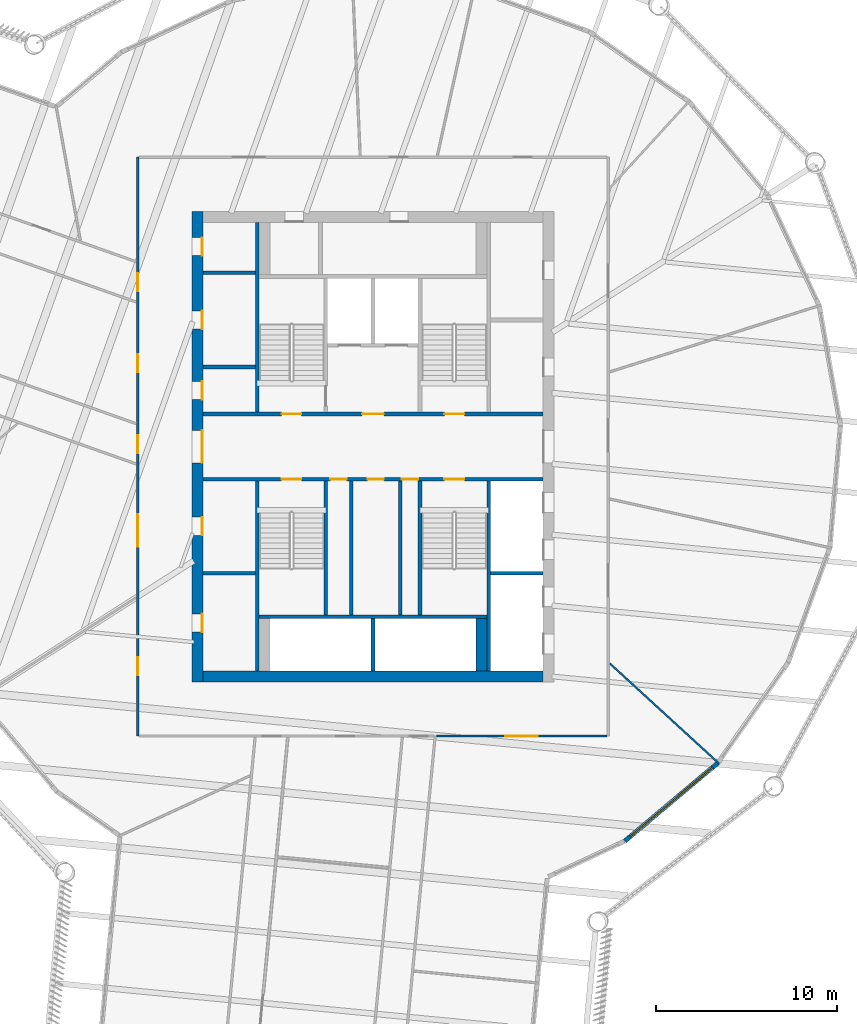
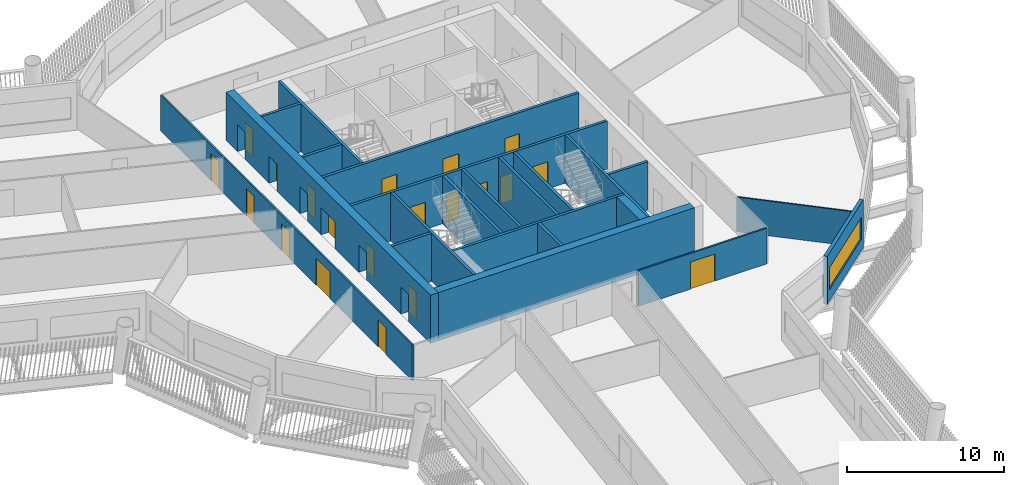
# One storey, part 4 of 15: 22 walls, 20 doors, 1 window, 21 openings.
"""IFC4 building model written with IfcOpenShell, lengths in metres."""

from ifc_helpers import new_model, si_unit, direction, frame, frame_2d, origin, place, context, subcontext, project, spatial, rectangle, extrude, material, layer, layer_set, type_object, element, fill, save


model = new_model("IFC4")

# Units and contexts
model_context = context("Model", 3, precision=1e-05, world=origin(), true_north=direction((0.0, 1.0)))
body_context = subcontext(model_context, "Body", "Model", "MODEL_VIEW")
ifc_project = project(units=[si_unit("LENGTHUNIT", "METRE"), si_unit("AREAUNIT", "SQUARE_METRE"), si_unit("VOLUMEUNIT", "CUBIC_METRE"), si_unit("PLANEANGLEUNIT", "RADIAN"), si_unit("MASSUNIT", "GRAM", prefix="KILO")], contexts=[model_context])

# Site, building, storey
site_placement = place(None, origin())
site = spatial("IfcSite", under=ifc_project, at=site_placement, CompositionType="ELEMENT")
building_placement = place(site_placement, origin())
building = spatial("IfcBuilding", under=site, at=building_placement, Name="Tarsis Ring Headquarters", CompositionType="ELEMENT")
storey_placement = place(building_placement, frame((0.0, 0.0, 204.300048828125)))
storey = spatial("IfcBuildingStorey", under=building, at=storey_placement, Name="L47", CompositionType="ELEMENT", Elevation=204.300048828125)

# Walls
ifc_material_1 = material(Name="Blockwork", Category="masonry")
ifc_layer_1 = layer(ifc_material_1, 0.199951171875)
ifc_layer_set_1 = layer_set([ifc_layer_1], Name="Core blockwork wall 200")
wall_type_1 = type_object("IfcWallType", Name="Core blockwork wall 200", PredefinedType="PARTITIONING", material=ifc_layer_set_1)
for number, where, z_axis, x_axis, name in (
    (1, (-9.39990234375, -7.0, 0.0), (0.0, 0.0, 1.0), (1.0, 0.0, 0.0), "Core partition WD2"),
    (2, (-9.39990234375, 4.39990234375, 0.0), (0.0, 0.0, 1.0), (1.0, 0.0, 0.0), "Core partition WD5"),
    (3, (-9.39990234375, 9.60009765625, 0.0), (0.0, 0.0, 1.0), (1.0, 0.0, 0.0), "Core partition WD7"),
):
    element("IfcWall", number, at=place(storey_placement, frame(where, z_axis=z_axis, x_axis=x_axis)), inside=storey, type_object=wall_type_1, Name=name, PredefinedType="PARTITIONING", context=body_context, shape_type="SweptSolid", body=[
        extrude(rectangle(XDim=2.89990234375, YDim=0.199951171875, at=frame_2d((1.449951171875, 0.0))), origin(), (0.0, 0.0, 1.0), 3.739990234375),
    ])
for number, where, z_axis, x_axis, name in (
    (4, (-1.199951171875, -9.300048828125, 0.0), (0.0, 0.0, 1.0), (0.0, 1.0, 0.0), "Core partition SV1"),
    (5, (1.5, -9.300048828125, 0.0), (0.0, 0.0, 1.0), (0.0, 1.0, 0.0), "Core partition SV2"),
):
    element("IfcWall", number, at=place(storey_placement, frame(where, z_axis=z_axis, x_axis=x_axis)), inside=storey, type_object=wall_type_1, Name=name, PredefinedType="PARTITIONING", context=body_context, shape_type="SweptSolid", body=[
        extrude(rectangle(XDim=7.400146484375, YDim=0.199951171875, at=frame_2d((3.7001953125, 0.0))), origin(), (0.0, 0.0, 1.0), 3.739990234375),
    ])

# Wall, openings, doors
ifc_material_2 = material(Name="Concrete C50/60", Category="concrete")
ifc_layer_2 = layer(ifc_material_2, 0.60009765625)
ifc_layer_set_2 = layer_set([ifc_layer_2], Name="Core wall 600 C50/60")
wall_type_2 = type_object("IfcWallType", Name="Core wall 600 C50/60", PredefinedType="SHEAR", material=ifc_layer_set_2)
wall_1_placement = place(storey_placement, frame((-9.699951171875, -13.0, 0.0), z_axis=(0.0, 0.0, 1.0), x_axis=(0.0, 1.0, 0.0)))
wall_1 = element("IfcWall", 6, at=wall_1_placement, inside=storey, type_object=wall_type_2, Name="Core wall OW", PredefinedType="SHEAR", context=body_context, shape_type="SweptSolid", body=[
    extrude(rectangle(XDim=26.0, YDim=0.60009765625, at=frame_2d((13.0, 0.0))), origin(), (0.0, 0.0, 1.0), 3.739990234375),
])
opening_1_placement = place(wall_1_placement, frame((2.75, 0.0, 0.0)))
opening_1 = element("IfcOpeningElement", 7, at=opening_1_placement, cuts=wall_1, Name="Opening L47-C01", PredefinedType="OPENING", context=body_context, shape_type="SweptSolid", body=[
    extrude(rectangle(XDim=1.0, YDim=2.10009765625, at=frame_2d((0.5, 1.050048828125))), frame((0.0, 0.31005859375, 0.0), z_axis=(0.0, -1.0, 0.0), x_axis=(1.0, 0.0, 0.0)), (0.0, 0.0, 1.0), 0.6201171875),
])
opening_2_placement = place(wall_1_placement, frame((8.10009765625, 0.0, 0.0)))
opening_2 = element("IfcOpeningElement", 8, at=opening_2_placement, cuts=wall_1, Name="Opening L47-C02", PredefinedType="OPENING", context=body_context, shape_type="SweptSolid", body=[
    extrude(rectangle(XDim=1.0, YDim=2.10009765625, at=frame_2d((0.5, 1.050048828125))), frame((0.0, 0.31005859375, 0.0), z_axis=(0.0, -1.0, 0.0), x_axis=(1.0, 0.0, 0.0)), (0.0, 0.0, 1.0), 0.6201171875),
])
opening_3_placement = place(wall_1_placement, frame((12.10009765625, 0.0, 0.0)))
opening_3 = element("IfcOpeningElement", 9, at=opening_3_placement, cuts=wall_1, Name="Opening L47-C03", PredefinedType="OPENING", context=body_context, shape_type="SweptSolid", body=[
    extrude(rectangle(XDim=1.800048828125, YDim=2.10009765625, at=frame_2d((0.89990234375, 1.050048828125))), frame((0.0, 0.31005859375, 0.0), z_axis=(0.0, -1.0, 0.0), x_axis=(1.0, 0.0, 0.0)), (0.0, 0.0, 1.0), 0.6201171875),
])
opening_4_placement = place(wall_1_placement, frame((15.60009765625, 0.0, 0.0)))
opening_4 = element("IfcOpeningElement", 10, at=opening_4_placement, cuts=wall_1, Name="Opening L47-C04", PredefinedType="OPENING", context=body_context, shape_type="SweptSolid", body=[
    extrude(rectangle(XDim=1.0, YDim=2.10009765625, at=frame_2d((0.5, 1.050048828125))), frame((0.0, 0.31005859375, 0.0), z_axis=(0.0, -1.0, 0.0), x_axis=(1.0, 0.0, 0.0)), (0.0, 0.0, 1.0), 0.6201171875),
])
opening_5_placement = place(wall_1_placement, frame((19.5, 0.0, 0.0)))
opening_5 = element("IfcOpeningElement", 11, at=opening_5_placement, cuts=wall_1, Name="Opening L47-C05", PredefinedType="OPENING", context=body_context, shape_type="SweptSolid", body=[
    extrude(rectangle(XDim=1.0, YDim=2.10009765625, at=frame_2d((0.5, 1.050048828125))), frame((0.0, 0.31005859375, 0.0), z_axis=(0.0, -1.0, 0.0), x_axis=(1.0, 0.0, 0.0)), (0.0, 0.0, 1.0), 0.6201171875),
])
opening_6_placement = place(wall_1_placement, frame((23.550048828125, 0.0, 0.0)))
opening_6 = element("IfcOpeningElement", 12, at=opening_6_placement, cuts=wall_1, Name="Opening L47-C06", PredefinedType="OPENING", context=body_context, shape_type="SweptSolid", body=[
    extrude(rectangle(XDim=1.0, YDim=2.10009765625, at=frame_2d((0.5, 1.050048828125))), frame((0.0, 0.31005859375, 0.0), z_axis=(0.0, -1.0, 0.0), x_axis=(1.0, 0.0, 0.0)), (0.0, 0.0, 1.0), 0.6201171875),
])
ifc_material_3 = material(Name="Steel S355", Category="steel")
door_type_1 = type_object("IfcDoorType", Name="Core entry door 1800x2100", OperationType="DOUBLE_DOOR_SINGLE_SWING", PredefinedType="DOOR", material=ifc_material_3)
door_1_placement = place(opening_3_placement, origin())
door_1 = element("IfcDoor", 13, at=door_1_placement, inside=storey, type_object=door_type_1, Name="Core entry door L47", OperationType="DOUBLE_DOOR_SINGLE_SWING", OverallHeight=2.10009765625, OverallWidth=1.800048828125, PredefinedType="DOOR", context=body_context, shape_type="SweptSolid", body=[
    extrude(rectangle(XDim=1.800048828125, YDim=2.10009765625, at=frame_2d((0.89990234375, 1.050048828125))), frame((0.0, -0.25, 0.0), z_axis=(0.0, -1.0, 0.0), x_axis=(1.0, 0.0, 0.0)), (0.0, 0.0, 1.0), 0.050048828125),
])
fill(opening_3, door_1)
door_type_2 = type_object("IfcDoorType", Name="Core room door 1000x2100", OperationType="SINGLE_SWING_LEFT", PredefinedType="DOOR", material=ifc_material_3)
door_2_placement = place(opening_1_placement, origin())
door_2 = element("IfcDoor", 14, at=door_2_placement, inside=storey, type_object=door_type_2, Name="Core room door L47", OperationType="SINGLE_SWING_LEFT", OverallHeight=2.10009765625, OverallWidth=1.0, PredefinedType="DOOR", context=body_context, shape_type="SweptSolid", body=[
    extrude(rectangle(XDim=1.0, YDim=2.10009765625, at=frame_2d((0.5, 1.050048828125))), frame((0.0, -0.25, 0.0), z_axis=(0.0, -1.0, 0.0), x_axis=(1.0, 0.0, 0.0)), (0.0, 0.0, 1.0), 0.050048828125),
])
fill(opening_1, door_2)
door_3_placement = place(opening_2_placement, origin())
door_3 = element("IfcDoor", 15, at=door_3_placement, inside=storey, type_object=door_type_2, Name="Core room door L47", OperationType="SINGLE_SWING_LEFT", OverallHeight=2.10009765625, OverallWidth=1.0, PredefinedType="DOOR", context=body_context, shape_type="SweptSolid", body=[
    extrude(rectangle(XDim=1.0, YDim=2.10009765625, at=frame_2d((0.5, 1.050048828125))), frame((0.0, -0.25, 0.0), z_axis=(0.0, -1.0, 0.0), x_axis=(1.0, 0.0, 0.0)), (0.0, 0.0, 1.0), 0.050048828125),
])
fill(opening_2, door_3)
door_4_placement = place(opening_4_placement, origin())
door_4 = element("IfcDoor", 16, at=door_4_placement, inside=storey, type_object=door_type_2, Name="Core room door L47", OperationType="SINGLE_SWING_LEFT", OverallHeight=2.10009765625, OverallWidth=1.0, PredefinedType="DOOR", context=body_context, shape_type="SweptSolid", body=[
    extrude(rectangle(XDim=1.0, YDim=2.10009765625, at=frame_2d((0.5, 1.050048828125))), frame((0.0, -0.25, 0.0), z_axis=(0.0, -1.0, 0.0), x_axis=(1.0, 0.0, 0.0)), (0.0, 0.0, 1.0), 0.050048828125),
])
fill(opening_4, door_4)
door_5_placement = place(opening_5_placement, origin())
door_5 = element("IfcDoor", 17, at=door_5_placement, inside=storey, type_object=door_type_2, Name="Core room door L47", OperationType="SINGLE_SWING_LEFT", OverallHeight=2.10009765625, OverallWidth=1.0, PredefinedType="DOOR", context=body_context, shape_type="SweptSolid", body=[
    extrude(rectangle(XDim=1.0, YDim=2.10009765625, at=frame_2d((0.5, 1.050048828125))), frame((0.0, -0.25, 0.0), z_axis=(0.0, -1.0, 0.0), x_axis=(1.0, 0.0, 0.0)), (0.0, 0.0, 1.0), 0.050048828125),
])
fill(opening_5, door_5)
door_6_placement = place(opening_6_placement, origin())
door_6 = element("IfcDoor", 18, at=door_6_placement, inside=storey, type_object=door_type_2, Name="Core room door L47", OperationType="SINGLE_SWING_LEFT", OverallHeight=2.10009765625, OverallWidth=1.0, PredefinedType="DOOR", context=body_context, shape_type="SweptSolid", body=[
    extrude(rectangle(XDim=1.0, YDim=2.10009765625, at=frame_2d((0.5, 1.050048828125))), frame((0.0, -0.25, 0.0), z_axis=(0.0, -1.0, 0.0), x_axis=(1.0, 0.0, 0.0)), (0.0, 0.0, 1.0), 0.050048828125),
])
fill(opening_6, door_6)

# Walls
wall_2_placement = place(storey_placement, frame((-9.39990234375, -12.699951171875, 0.0), z_axis=(0.0, 0.0, 1.0), x_axis=(1.0, 0.0, 0.0)))
element("IfcWall", 19, at=wall_2_placement, inside=storey, type_object=wall_type_2, Name="Core wall OS", PredefinedType="SHEAR", context=body_context, shape_type="SweptSolid", body=[
    extrude(rectangle(XDim=18.7998046875, YDim=0.60009765625, at=frame_2d((9.39990234375, 0.0))), origin(), (0.0, 0.0, 1.0), 3.739990234375),
])
ifc_material_4 = material(Name="Gypsum board on steel studs", Category="steel")
ifc_layer_3 = layer(ifc_material_4, 0.10009765625)
ifc_layer_set_3 = layer_set([ifc_layer_3], Name="FL partition 100 unrated")
wall_type_3 = type_object("IfcWallType", Name="FL partition 100 unrated", PredefinedType="PARTITIONING", material=ifc_layer_set_3)
wall_3_placement = place(storey_placement, frame((13.08837890625, -11.985107421875, 0.0), z_axis=(0.0, 0.0, 1.0), x_axis=(0.737530914326, -0.675313372008, 0.0)))
element("IfcWall", 20, at=wall_3_placement, inside=storey, type_object=wall_type_3, Name="Partition PW3", PredefinedType="PARTITIONING", context=body_context, shape_type="SweptSolid", body=[
    extrude(rectangle(XDim=8.201171875, YDim=0.10009765625, at=frame_2d((4.1005859375, 0.0))), origin(), (0.0, 0.0, 1.0), 2.699951171875),
])

# Wall, openings, doors
ifc_layer_4 = layer(ifc_material_4, 0.125)
ifc_layer_set_4 = layer_set([ifc_layer_4], Name="FL partition 125 EI 60 H2770")
wall_type_4 = type_object("IfcWallType", Name="FL partition 125 EI 60 H2770", PredefinedType="PARTITIONING", material=ifc_layer_set_4)
wall_4_placement = place(storey_placement, frame((-13.0, -16.0, 0.0), z_axis=(0.0, 0.0, 1.0), x_axis=(0.0, 1.0, 0.0)))
wall_4 = element("IfcWall", 21, at=wall_4_placement, inside=storey, type_object=wall_type_4, Name="Partition PW1", PredefinedType="PARTITIONING", context=body_context, shape_type="SweptSolid", body=[
    extrude(rectangle(XDim=32.0, YDim=0.125, at=frame_2d((16.0, 0.0))), origin(), (0.0, 0.0, 1.0), 2.77001953125),
])
opening_7_placement = place(wall_4_placement, frame((3.35595703125, 0.0, 0.0)))
opening_7 = element("IfcOpeningElement", 22, at=opening_7_placement, cuts=wall_4, Name="Opening D47.12", PredefinedType="OPENING", context=body_context, shape_type="SweptSolid", body=[
    extrude(rectangle(XDim=1.0, YDim=2.10009765625, at=frame_2d((0.5, 1.050048828125))), frame((0.0, 0.072509765625, 0.0), z_axis=(0.0, -1.0, 0.0), x_axis=(1.0, 0.0, 0.0)), (0.0, 0.0, 1.0), 0.14501953125),
])
opening_8_placement = place(wall_4_placement, frame((10.460205078125, 0.0, 0.0)))
opening_8 = element("IfcOpeningElement", 23, at=opening_8_placement, cuts=wall_4, Name="Opening D47.13", PredefinedType="OPENING", context=body_context, shape_type="SweptSolid", body=[
    extrude(rectangle(XDim=1.800048828125, YDim=2.10009765625, at=frame_2d((0.89990234375, 1.050048828125))), frame((0.0, 0.072509765625, 0.0), z_axis=(0.0, -1.0, 0.0), x_axis=(1.0, 0.0, 0.0)), (0.0, 0.0, 1.0), 0.14501953125),
])
opening_9_placement = place(wall_4_placement, frame((20.098388671875, 0.0, 0.0)))
opening_9 = element("IfcOpeningElement", 24, at=opening_9_placement, cuts=wall_4, Name="Opening D47.14", PredefinedType="OPENING", context=body_context, shape_type="SweptSolid", body=[
    extrude(rectangle(XDim=1.0, YDim=2.10009765625, at=frame_2d((0.5, 1.050048828125))), frame((0.0, 0.072509765625, 0.0), z_axis=(0.0, -1.0, 0.0), x_axis=(1.0, 0.0, 0.0)), (0.0, 0.0, 1.0), 0.14501953125),
])
opening_10_placement = place(wall_4_placement, frame((15.622314453125, 0.0, 0.0)))
opening_10 = element("IfcOpeningElement", 25, at=opening_10_placement, cuts=wall_4, Name="Opening D47.20", PredefinedType="OPENING", context=body_context, shape_type="SweptSolid", body=[
    extrude(rectangle(XDim=1.0, YDim=2.10009765625, at=frame_2d((0.5, 1.050048828125))), frame((0.0, 0.072509765625, 0.0), z_axis=(0.0, -1.0, 0.0), x_axis=(1.0, 0.0, 0.0)), (0.0, 0.0, 1.0), 0.14501953125),
])
opening_11_placement = place(wall_4_placement, frame((24.57470703125, 0.0, 0.0)))
opening_11 = element("IfcOpeningElement", 26, at=opening_11_placement, cuts=wall_4, Name="Opening D47.21", PredefinedType="OPENING", context=body_context, shape_type="SweptSolid", body=[
    extrude(rectangle(XDim=1.0, YDim=2.10009765625, at=frame_2d((0.5, 1.050048828125))), frame((0.0, 0.072509765625, 0.0), z_axis=(0.0, -1.0, 0.0), x_axis=(1.0, 0.0, 0.0)), (0.0, 0.0, 1.0), 0.14501953125),
])
ifc_material_5 = material(Name="Fire-rated timber door leaf in steel frame", Category="steel")
door_type_3 = type_object("IfcDoorType", Name="FL door FD60-1000", OperationType="NOTDEFINED", PredefinedType="DOOR", material=ifc_material_5)
door_7_placement = place(opening_7_placement, origin())
door_7 = element("IfcDoor", 27, at=door_7_placement, inside=storey, type_object=door_type_3, Name="Door D47.12", OperationType="SINGLE_SWING_LEFT", OverallHeight=2.10009765625, OverallWidth=1.0, PredefinedType="DOOR", context=body_context, shape_type="SweptSolid", body=[
    extrude(rectangle(XDim=1.0, YDim=2.10009765625, at=frame_2d((0.5, 1.050048828125))), frame((0.0, 0.02490234375, 0.0), z_axis=(0.0, -1.0, 0.0), x_axis=(1.0, 0.0, 0.0)), (0.0, 0.0, 1.0), 0.050048828125),
])
fill(opening_7, door_7)
door_8_placement = place(opening_9_placement, origin())
door_8 = element("IfcDoor", 28, at=door_8_placement, inside=storey, type_object=door_type_3, Name="Door D47.14", OperationType="SINGLE_SWING_LEFT", OverallHeight=2.10009765625, OverallWidth=1.0, PredefinedType="DOOR", context=body_context, shape_type="SweptSolid", body=[
    extrude(rectangle(XDim=1.0, YDim=2.10009765625, at=frame_2d((0.5, 1.050048828125))), frame((0.0, 0.02490234375, 0.0), z_axis=(0.0, -1.0, 0.0), x_axis=(1.0, 0.0, 0.0)), (0.0, 0.0, 1.0), 0.050048828125),
])
fill(opening_9, door_8)
door_9_placement = place(opening_10_placement, origin())
door_9 = element("IfcDoor", 29, at=door_9_placement, inside=storey, type_object=door_type_3, Name="Door D47.20", OperationType="SINGLE_SWING_LEFT", OverallHeight=2.10009765625, OverallWidth=1.0, PredefinedType="DOOR", context=body_context, shape_type="SweptSolid", body=[
    extrude(rectangle(XDim=1.0, YDim=2.10009765625, at=frame_2d((0.5, 1.050048828125))), frame((0.0, 0.02490234375, 0.0), z_axis=(0.0, -1.0, 0.0), x_axis=(1.0, 0.0, 0.0)), (0.0, 0.0, 1.0), 0.050048828125),
])
fill(opening_10, door_9)
door_10_placement = place(opening_11_placement, origin())
door_10 = element("IfcDoor", 30, at=door_10_placement, inside=storey, type_object=door_type_3, Name="Door D47.21", OperationType="SINGLE_SWING_RIGHT", OverallHeight=2.10009765625, OverallWidth=1.0, PredefinedType="DOOR", context=body_context, shape_type="SweptSolid", body=[
    extrude(rectangle(XDim=1.0, YDim=2.10009765625, at=frame_2d((0.5, 1.050048828125))), frame((0.0, 0.02490234375, 0.0), z_axis=(0.0, -1.0, 0.0), x_axis=(1.0, 0.0, 0.0)), (0.0, 0.0, 1.0), 0.050048828125),
])
fill(opening_11, door_10)
door_type_4 = type_object("IfcDoorType", Name="FL door FD60-1800", OperationType="DOUBLE_DOOR_SINGLE_SWING", PredefinedType="DOOR", material=ifc_material_5)
door_11_placement = place(opening_8_placement, origin())
door_11 = element("IfcDoor", 31, at=door_11_placement, inside=storey, type_object=door_type_4, Name="Door D47.13", OperationType="DOUBLE_DOOR_SINGLE_SWING", OverallHeight=2.10009765625, OverallWidth=1.800048828125, PredefinedType="DOOR", context=body_context, shape_type="SweptSolid", body=[
    extrude(rectangle(XDim=1.800048828125, YDim=2.10009765625, at=frame_2d((0.89990234375, 1.050048828125))), frame((0.0, 0.02490234375, 0.0), z_axis=(0.0, -1.0, 0.0), x_axis=(1.0, 0.0, 0.0)), (0.0, 0.0, 1.0), 0.050048828125),
])
fill(opening_8, door_11)

# Wall, opening, door
wall_5_placement = place(storey_placement, frame((3.5, -16.0, 0.0), z_axis=(0.0, 0.0, 1.0), x_axis=(1.0, 0.0, 0.0)))
wall_5 = element("IfcWall", 32, at=wall_5_placement, inside=storey, type_object=wall_type_4, Name="Partition PW1", PredefinedType="PARTITIONING", context=body_context, shape_type="SweptSolid", body=[
    extrude(rectangle(XDim=9.43994140625, YDim=0.125, at=frame_2d((4.719970703125, 0.0))), origin(), (0.0, 0.0, 1.0), 2.77001953125),
])
opening_12_placement = place(wall_5_placement, frame((3.81884765625, 0.0, 0.0)))
opening_12 = element("IfcOpeningElement", 33, at=opening_12_placement, cuts=wall_5, Name="Opening D47.10", PredefinedType="OPENING", context=body_context, shape_type="SweptSolid", body=[
    extrude(rectangle(XDim=1.800048828125, YDim=2.10009765625, at=frame_2d((0.89990234375, 1.050048828125))), frame((0.0, 0.072509765625, 0.0), z_axis=(0.0, -1.0, 0.0), x_axis=(1.0, 0.0, 0.0)), (0.0, 0.0, 1.0), 0.14501953125),
])
door_12_placement = place(opening_12_placement, origin())
door_12 = element("IfcDoor", 34, at=door_12_placement, inside=storey, type_object=door_type_4, Name="Door D47.10", OperationType="DOUBLE_DOOR_SINGLE_SWING", OverallHeight=2.10009765625, OverallWidth=1.800048828125, PredefinedType="DOOR", context=body_context, shape_type="SweptSolid", body=[
    extrude(rectangle(XDim=1.800048828125, YDim=2.10009765625, at=frame_2d((0.89990234375, 1.050048828125))), frame((0.0, 0.02490234375, 0.0), z_axis=(0.0, -1.0, 0.0), x_axis=(1.0, 0.0, 0.0)), (0.0, 0.0, 1.0), 0.050048828125),
])
fill(opening_12, door_12)

# Wall, opening, window
ifc_material_6 = material(Name="Terracotta clad insulated panel wall", Category="masonry")
ifc_layer_5 = layer(ifc_material_6, 0.25)
ifc_layer_set_5 = layer_set([ifc_layer_5], Name="Facade wall terracotta panel 250")
wall_type_5 = type_object("IfcWallType", Name="Facade wall terracotta panel 250", PredefinedType="STANDARD", material=ifc_layer_set_5)
wall_6_placement = place(storey_placement, frame((13.92236328125, -21.806396484375, 0.0), z_axis=(0.0, 0.0, 1.0), x_axis=(0.765822201448, 0.643052374048, 0.0)))
wall_6 = element("IfcWall", 35, at=wall_6_placement, inside=storey, type_object=wall_type_5, Name="External wall L47-18", PredefinedType="STANDARD", context=body_context, shape_type="SweptSolid", body=[
    extrude(rectangle(XDim=6.721435546875, YDim=0.25, at=frame_2d((3.36083984375, 0.0))), origin(), (0.0, 0.0, 1.0), 3.739990234375),
])
opening_13_placement = place(wall_6_placement, frame((0.3857421875, 0.0, 0.89990234375)))
opening_13 = element("IfcOpeningElement", 36, at=opening_13_placement, cuts=wall_6, Name="Opening WN07", PredefinedType="OPENING", context=body_context, shape_type="SweptSolid", body=[
    extrude(rectangle(XDim=5.949951171875, YDim=1.699951171875, at=frame_2d((2.97509765625, 0.85009765625))), frame((0.0, 0.135009765625, 0.0), z_axis=(0.0, -1.0, 0.0), x_axis=(1.0, 0.0, 0.0)), (0.0, 0.0, 1.0), 0.27001953125),
])
ifc_material_7 = material(Name="Aluminium framed double glazing", Category="aluminium")
window_type = type_object("IfcWindowType", Name="Facade window 5950 x 1700", PartitioningType="SINGLE_PANEL", PredefinedType="WINDOW", material=ifc_material_7)
window_placement = place(opening_13_placement, origin())
window = element("IfcWindow", 37, at=window_placement, inside=storey, type_object=window_type, Name="Window L47-18.1", OverallHeight=1.699951171875, OverallWidth=5.949951171875, PartitioningType="SINGLE_PANEL", PredefinedType="WINDOW", context=body_context, shape_type="SweptSolid", body=[
    extrude(rectangle(XDim=5.949951171875, YDim=1.699951171875, at=frame_2d((2.97509765625, 0.85009765625))), frame((0.0, 0.030029296875, 0.0), z_axis=(0.0, -1.0, 0.0), x_axis=(1.0, 0.0, 0.0)), (0.0, 0.0, 1.0), 0.06005859375),
])
fill(opening_13, window)

# Wall
ifc_material_8 = material(Name="Concrete C32/40", Category="concrete")
ifc_layer_6 = layer(ifc_material_8, 0.60009765625)
ifc_layer_set_6 = layer_set([ifc_layer_6], Name="Shaft end wall 600 C32/40")
wall_type_6 = type_object("IfcWallType", Name="Shaft end wall 600 C32/40", PredefinedType="SOLIDWALL", material=ifc_layer_set_6)
wall_7_placement = place(storey_placement, frame((6.0, -12.39990234375, 0.0), z_axis=(0.0, 0.0, 1.0), x_axis=(0.0, 1.0, 0.0)))
element("IfcWall", 38, at=wall_7_placement, inside=storey, type_object=wall_type_6, Name="Core shaft wall SNE2", PredefinedType="SOLIDWALL", context=body_context, shape_type="SweptSolid", body=[
    extrude(rectangle(XDim=2.89990234375, YDim=0.60009765625, at=frame_2d((1.449951171875, 0.0))), origin(), (0.0, 0.0, 1.0), 3.739990234375),
])

# Wall, openings, doors
ifc_layer_7 = layer(ifc_material_8, 0.199951171875)
ifc_layer_set_7 = layer_set([ifc_layer_7], Name="Shaft wall 200 C32/40")
wall_type_7 = type_object("IfcWallType", Name="Shaft wall 200 C32/40", PredefinedType="SOLIDWALL", material=ifc_layer_set_7)
wall_8_placement = place(storey_placement, frame((-9.39990234375, 1.800048828125, 0.0), z_axis=(0.0, 0.0, 1.0), x_axis=(1.0, 0.0, 0.0)))
wall_8 = element("IfcWall", 39, at=wall_8_placement, inside=storey, type_object=wall_type_7, Name="Core shaft wall CN", PredefinedType="SOLIDWALL", context=body_context, shape_type="SweptSolid", body=[
    extrude(rectangle(XDim=18.7998046875, YDim=0.199951171875, at=frame_2d((9.39990234375, 0.0))), origin(), (0.0, 0.0, 1.0), 3.739990234375),
])
opening_14_placement = place(wall_8_placement, frame((4.35009765625, 0.0, 0.0)))
opening_14 = element("IfcOpeningElement", 40, at=opening_14_placement, cuts=wall_8, Name="Opening L47-C16", PredefinedType="OPENING", context=body_context, shape_type="SweptSolid", body=[
    extrude(rectangle(XDim=1.10009765625, YDim=2.10009765625, at=frame_2d((0.550048828125, 1.050048828125))), frame((0.0, 0.10986328125, 0.0), z_axis=(0.0, -1.0, 0.0), x_axis=(1.0, 0.0, 0.0)), (0.0, 0.0, 1.0), 0.219970703125),
])
opening_15_placement = place(wall_8_placement, frame((8.800048828125, 0.0, 0.0)))
opening_15 = element("IfcOpeningElement", 41, at=opening_15_placement, cuts=wall_8, Name="Opening L47-C17", PredefinedType="OPENING", context=body_context, shape_type="SweptSolid", body=[
    extrude(rectangle(XDim=1.199951171875, YDim=2.10009765625, at=frame_2d((0.60009765625, 1.050048828125))), frame((0.0, 0.10986328125, 0.0), z_axis=(0.0, -1.0, 0.0), x_axis=(1.0, 0.0, 0.0)), (0.0, 0.0, 1.0), 0.219970703125),
])
opening_16_placement = place(wall_8_placement, frame((13.35009765625, 0.0, 0.0)))
opening_16 = element("IfcOpeningElement", 42, at=opening_16_placement, cuts=wall_8, Name="Opening L47-C18", PredefinedType="OPENING", context=body_context, shape_type="SweptSolid", body=[
    extrude(rectangle(XDim=1.10009765625, YDim=2.10009765625, at=frame_2d((0.550048828125, 1.050048828125))), frame((0.0, 0.10986328125, 0.0), z_axis=(0.0, -1.0, 0.0), x_axis=(1.0, 0.0, 0.0)), (0.0, 0.0, 1.0), 0.219970703125),
])
door_type_5 = type_object("IfcDoorType", Name="Firefighting lobby door 1200x2100", OperationType="DOUBLE_DOOR_SINGLE_SWING", PredefinedType="DOOR", material=ifc_material_3)
door_13_placement = place(opening_15_placement, origin())
door_13 = element("IfcDoor", 43, at=door_13_placement, inside=storey, type_object=door_type_5, Name="Firefighting lobby door L47", OperationType="DOUBLE_DOOR_SINGLE_SWING", OverallHeight=2.10009765625, OverallWidth=1.199951171875, PredefinedType="DOOR", context=body_context, shape_type="SweptSolid", body=[
    extrude(rectangle(XDim=1.199951171875, YDim=2.10009765625, at=frame_2d((0.60009765625, 1.050048828125))), frame((0.0, 0.02490234375, 0.0), z_axis=(0.0, -1.0, 0.0), x_axis=(1.0, 0.0, 0.0)), (0.0, 0.0, 1.0), 0.050048828125),
])
fill(opening_15, door_13)
door_type_6 = type_object("IfcDoorType", Name="Stair door 1100x2100", OperationType="SINGLE_SWING_LEFT", PredefinedType="DOOR", material=ifc_material_3)
door_14_placement = place(opening_14_placement, origin())
door_14 = element("IfcDoor", 44, at=door_14_placement, inside=storey, type_object=door_type_6, Name="Stair door L47", OperationType="SINGLE_SWING_LEFT", OverallHeight=2.10009765625, OverallWidth=1.10009765625, PredefinedType="DOOR", context=body_context, shape_type="SweptSolid", body=[
    extrude(rectangle(XDim=1.10009765625, YDim=2.10009765625, at=frame_2d((0.550048828125, 1.050048828125))), frame((0.0, 0.02490234375, 0.0), z_axis=(0.0, -1.0, 0.0), x_axis=(1.0, 0.0, 0.0)), (0.0, 0.0, 1.0), 0.050048828125),
])
fill(opening_14, door_14)
door_15_placement = place(opening_16_placement, origin())
door_15 = element("IfcDoor", 45, at=door_15_placement, inside=storey, type_object=door_type_6, Name="Stair door L47", OperationType="SINGLE_SWING_LEFT", OverallHeight=2.10009765625, OverallWidth=1.10009765625, PredefinedType="DOOR", context=body_context, shape_type="SweptSolid", body=[
    extrude(rectangle(XDim=1.10009765625, YDim=2.10009765625, at=frame_2d((0.550048828125, 1.050048828125))), frame((0.0, 0.02490234375, 0.0), z_axis=(0.0, -1.0, 0.0), x_axis=(1.0, 0.0, 0.0)), (0.0, 0.0, 1.0), 0.050048828125),
])
fill(opening_16, door_15)

wall_9_placement = place(storey_placement, frame((-9.39990234375, -1.800048828125, 0.0), z_axis=(0.0, 0.0, 1.0), x_axis=(1.0, 0.0, 0.0)))
wall_9 = element("IfcWall", 46, at=wall_9_placement, inside=storey, type_object=wall_type_7, Name="Core shaft wall CS", PredefinedType="SOLIDWALL", context=body_context, shape_type="SweptSolid", body=[
    extrude(rectangle(XDim=18.7998046875, YDim=0.199951171875, at=frame_2d((9.39990234375, 0.0))), origin(), (0.0, 0.0, 1.0), 3.739990234375),
])
opening_17_placement = place(wall_9_placement, frame((4.35009765625, 0.0, 0.0)))
opening_17 = element("IfcOpeningElement", 47, at=opening_17_placement, cuts=wall_9, Name="Opening L47-C19", PredefinedType="OPENING", context=body_context, shape_type="SweptSolid", body=[
    extrude(rectangle(XDim=1.10009765625, YDim=2.10009765625, at=frame_2d((0.550048828125, 1.050048828125))), frame((0.0, 0.10986328125, 0.0), z_axis=(0.0, -1.0, 0.0), x_axis=(1.0, 0.0, 0.0)), (0.0, 0.0, 1.0), 0.219970703125),
])
opening_18_placement = place(wall_9_placement, frame((7.050048828125, 0.0, 0.0)))
opening_18 = element("IfcOpeningElement", 48, at=opening_18_placement, cuts=wall_9, Name="Opening L47-C20", PredefinedType="OPENING", context=body_context, shape_type="SweptSolid", body=[
    extrude(rectangle(XDim=0.89990234375, YDim=2.10009765625, at=frame_2d((0.449951171875, 1.050048828125))), frame((0.0, 0.10986328125, 0.0), z_axis=(0.0, -1.0, 0.0), x_axis=(1.0, 0.0, 0.0)), (0.0, 0.0, 1.0), 0.219970703125),
])
opening_19_placement = place(wall_9_placement, frame((9.10009765625, 0.0, 0.0)))
opening_19 = element("IfcOpeningElement", 49, at=opening_19_placement, cuts=wall_9, Name="Opening L47-C21", PredefinedType="OPENING", context=body_context, shape_type="SweptSolid", body=[
    extrude(rectangle(XDim=0.89990234375, YDim=2.10009765625, at=frame_2d((0.449951171875, 1.050048828125))), frame((0.0, 0.10986328125, 0.0), z_axis=(0.0, -1.0, 0.0), x_axis=(1.0, 0.0, 0.0)), (0.0, 0.0, 1.0), 0.219970703125),
])
opening_20_placement = place(wall_9_placement, frame((11.0, 0.0, 0.0)))
opening_20 = element("IfcOpeningElement", 50, at=opening_20_placement, cuts=wall_9, Name="Opening L47-C22", PredefinedType="OPENING", context=body_context, shape_type="SweptSolid", body=[
    extrude(rectangle(XDim=0.89990234375, YDim=2.10009765625, at=frame_2d((0.449951171875, 1.050048828125))), frame((0.0, 0.10986328125, 0.0), z_axis=(0.0, -1.0, 0.0), x_axis=(1.0, 0.0, 0.0)), (0.0, 0.0, 1.0), 0.219970703125),
])
opening_21_placement = place(wall_9_placement, frame((13.35009765625, 0.0, 0.0)))
opening_21 = element("IfcOpeningElement", 51, at=opening_21_placement, cuts=wall_9, Name="Opening L47-C23", PredefinedType="OPENING", context=body_context, shape_type="SweptSolid", body=[
    extrude(rectangle(XDim=1.10009765625, YDim=2.10009765625, at=frame_2d((0.550048828125, 1.050048828125))), frame((0.0, 0.10986328125, 0.0), z_axis=(0.0, -1.0, 0.0), x_axis=(1.0, 0.0, 0.0)), (0.0, 0.0, 1.0), 0.219970703125),
])
door_16_placement = place(opening_17_placement, origin())
door_16 = element("IfcDoor", 52, at=door_16_placement, inside=storey, type_object=door_type_6, Name="Stair door L47", OperationType="SINGLE_SWING_LEFT", OverallHeight=2.10009765625, OverallWidth=1.10009765625, PredefinedType="DOOR", context=body_context, shape_type="SweptSolid", body=[
    extrude(rectangle(XDim=1.10009765625, YDim=2.10009765625, at=frame_2d((0.550048828125, 1.050048828125))), frame((0.0, 0.02490234375, 0.0), z_axis=(0.0, -1.0, 0.0), x_axis=(1.0, 0.0, 0.0)), (0.0, 0.0, 1.0), 0.050048828125),
])
fill(opening_17, door_16)
door_17_placement = place(opening_21_placement, origin())
door_17 = element("IfcDoor", 53, at=door_17_placement, inside=storey, type_object=door_type_6, Name="Stair door L47", OperationType="SINGLE_SWING_LEFT", OverallHeight=2.10009765625, OverallWidth=1.10009765625, PredefinedType="DOOR", context=body_context, shape_type="SweptSolid", body=[
    extrude(rectangle(XDim=1.10009765625, YDim=2.10009765625, at=frame_2d((0.550048828125, 1.050048828125))), frame((0.0, 0.02490234375, 0.0), z_axis=(0.0, -1.0, 0.0), x_axis=(1.0, 0.0, 0.0)), (0.0, 0.0, 1.0), 0.050048828125),
])
fill(opening_21, door_17)
door_type_7 = type_object("IfcDoorType", Name="WC door 900x2100", OperationType="SINGLE_SWING_LEFT", PredefinedType="DOOR", material=ifc_material_3)
door_18_placement = place(opening_18_placement, origin())
door_18 = element("IfcDoor", 54, at=door_18_placement, inside=storey, type_object=door_type_7, Name="WC door L47", OperationType="SINGLE_SWING_LEFT", OverallHeight=2.10009765625, OverallWidth=0.89990234375, PredefinedType="DOOR", context=body_context, shape_type="SweptSolid", body=[
    extrude(rectangle(XDim=0.89990234375, YDim=2.10009765625, at=frame_2d((0.449951171875, 1.050048828125))), frame((0.0, 0.02490234375, 0.0), z_axis=(0.0, -1.0, 0.0), x_axis=(1.0, 0.0, 0.0)), (0.0, 0.0, 1.0), 0.050048828125),
])
fill(opening_18, door_18)
door_19_placement = place(opening_19_placement, origin())
door_19 = element("IfcDoor", 55, at=door_19_placement, inside=storey, type_object=door_type_7, Name="WC door L47", OperationType="SINGLE_SWING_LEFT", OverallHeight=2.10009765625, OverallWidth=0.89990234375, PredefinedType="DOOR", context=body_context, shape_type="SweptSolid", body=[
    extrude(rectangle(XDim=0.89990234375, YDim=2.10009765625, at=frame_2d((0.449951171875, 1.050048828125))), frame((0.0, 0.02490234375, 0.0), z_axis=(0.0, -1.0, 0.0), x_axis=(1.0, 0.0, 0.0)), (0.0, 0.0, 1.0), 0.050048828125),
])
fill(opening_19, door_19)
door_20_placement = place(opening_20_placement, origin())
door_20 = element("IfcDoor", 56, at=door_20_placement, inside=storey, type_object=door_type_7, Name="WC door L47", OperationType="SINGLE_SWING_LEFT", OverallHeight=2.10009765625, OverallWidth=0.89990234375, PredefinedType="DOOR", context=body_context, shape_type="SweptSolid", body=[
    extrude(rectangle(XDim=0.89990234375, YDim=2.10009765625, at=frame_2d((0.449951171875, 1.050048828125))), frame((0.0, 0.02490234375, 0.0), z_axis=(0.0, -1.0, 0.0), x_axis=(1.0, 0.0, 0.0)), (0.0, 0.0, 1.0), 0.050048828125),
])
fill(opening_20, door_20)

# Walls
for number, where, z_axis, x_axis, name in (
    (57, (-6.39990234375, -12.39990234375, 0.0), (0.0, 0.0, 1.0), (0.0, 1.0, 0.0), "Core shaft wall WB1"),
    (58, (-6.39990234375, 1.89990234375, 0.0), (0.0, 0.0, 1.0), (0.0, 1.0, 0.0), "Core shaft wall WB2"),
    (59, (6.39990234375, -12.39990234375, 0.0), (0.0, 0.0, 1.0), (0.0, 1.0, 0.0), "Core shaft wall EB1"),
):
    element("IfcWall", number, at=place(storey_placement, frame(where, z_axis=z_axis, x_axis=x_axis)), inside=storey, type_object=wall_type_7, Name=name, PredefinedType="SOLIDWALL", context=body_context, shape_type="SweptSolid", body=[
        extrude(rectangle(XDim=10.5, YDim=0.199951171875, at=frame_2d((5.25, 0.0))), origin(), (0.0, 0.0, 1.0), 3.739990234375),
    ])
wall_10_placement = place(storey_placement, frame((-6.300048828125, -9.39990234375, 0.0), z_axis=(0.0, 0.0, 1.0), x_axis=(1.0, 0.0, 0.0)))
element("IfcWall", 60, at=wall_10_placement, inside=storey, type_object=wall_type_7, Name="Core shaft wall SB", PredefinedType="SOLIDWALL", context=body_context, shape_type="SweptSolid", body=[
    extrude(rectangle(XDim=12.60009765625, YDim=0.199951171875, at=frame_2d((6.300048828125, 0.0))), origin(), (0.0, 0.0, 1.0), 3.739990234375),
])
for number, where, z_axis, x_axis, name in (
    (61, (-2.60009765625, -9.300048828125, 0.0), (0.0, 0.0, 1.0), (0.0, 1.0, 0.0), "Core shaft wall SW3"),
    (62, (2.60009765625, -9.300048828125, 0.0), (0.0, 0.0, 1.0), (0.0, 1.0, 0.0), "Core shaft wall SW4"),
):
    element("IfcWall", number, at=place(storey_placement, frame(where, z_axis=z_axis, x_axis=x_axis)), inside=storey, type_object=wall_type_7, Name=name, PredefinedType="SOLIDWALL", context=body_context, shape_type="SweptSolid", body=[
        extrude(rectangle(XDim=7.400146484375, YDim=0.199951171875, at=frame_2d((3.7001953125, 0.0))), origin(), (0.0, 0.0, 1.0), 3.739990234375),
    ])
for number, where, z_axis, x_axis, name in (
    (63, (6.5, -7.0, 0.0), (0.0, 0.0, 1.0), (1.0, 0.0, 0.0), "Core shaft wall ED2"),
    (64, (0.0, -12.39990234375, 0.0), (0.0, 0.0, 1.0), (0.0, 1.0, 0.0), "Core shaft wall SD2"),
):
    element("IfcWall", number, at=place(storey_placement, frame(where, z_axis=z_axis, x_axis=x_axis)), inside=storey, type_object=wall_type_7, Name=name, PredefinedType="SOLIDWALL", context=body_context, shape_type="SweptSolid", body=[
        extrude(rectangle(XDim=2.89990234375, YDim=0.199951171875, at=frame_2d((1.449951171875, 0.0))), origin(), (0.0, 0.0, 1.0), 3.739990234375),
    ])

save(model, "model.ifc")
